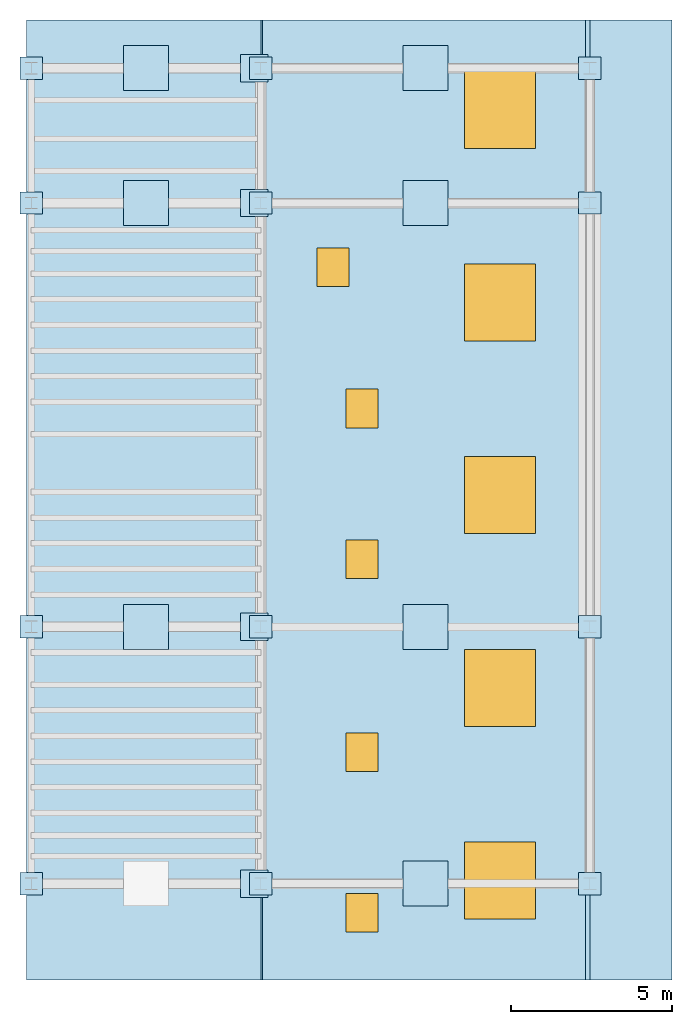
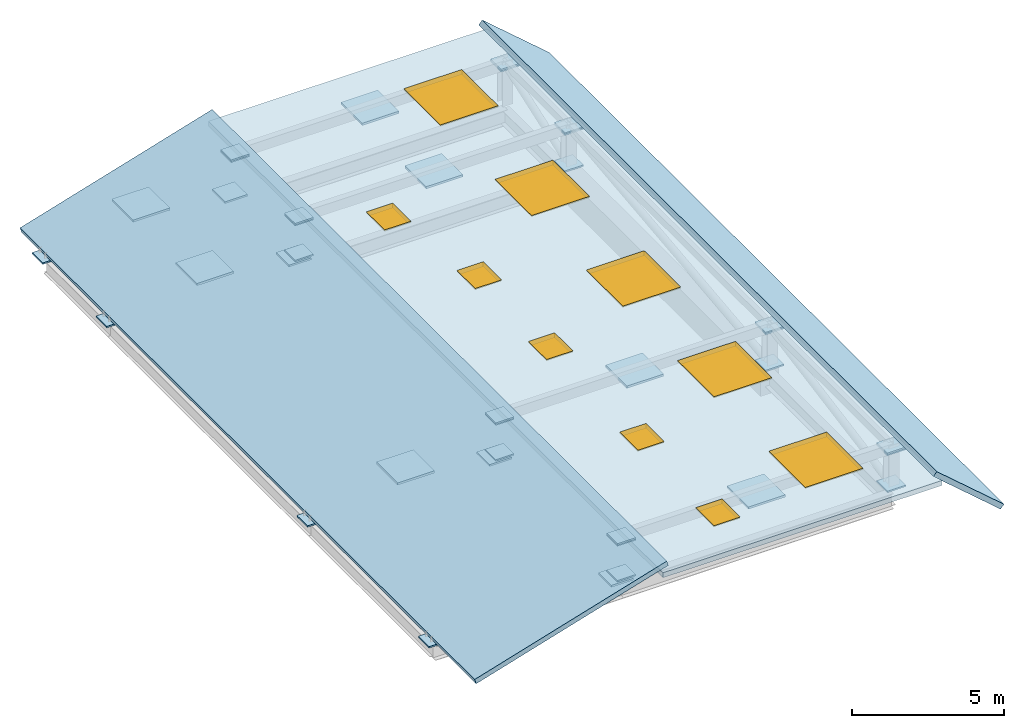
# One storey, part 2 of 2: 37 plates, 10 windows, 3 slabs, 10 openings.
"""IFC4 building model written with IfcOpenShell, lengths in metres."""

from ifc_helpers import new_model, si_unit, direction, frame, origin, origin_2d, place, context, subcontext, project, spatial, polyline, rectangle, outline, extrude, source, transform, mapped, material, layer, layer_set, type_object, element, fill, save


model = new_model("IFC4")

# Units and contexts
model_context = context("Model", 3, precision=1e-05, world=origin(), true_north=direction((0.0, 1.0)))
body_context = subcontext(model_context, "Body", "Model", "MODEL_VIEW")
ifc_project = project(units=[si_unit("LENGTHUNIT", "METRE"), si_unit("AREAUNIT", "SQUARE_METRE"), si_unit("VOLUMEUNIT", "CUBIC_METRE"), si_unit("PLANEANGLEUNIT", "RADIAN"), si_unit("MASSUNIT", "GRAM", prefix="KILO")], contexts=[model_context])

# Site, building, storey
site_placement = place(None, origin())
site = spatial("IfcSite", under=ifc_project, at=site_placement, CompositionType="ELEMENT")
building_placement = place(site_placement, origin())
building = spatial("IfcBuilding", under=site, at=building_placement, Name="Valdorenza Pilgrim Sanctuary Tower", CompositionType="ELEMENT")
storey_placement = place(building_placement, frame((0.0, 0.0, 307.60009765625)))
storey = spatial("IfcBuildingStorey", under=building, at=storey_placement, Name="RF", CompositionType="ELEMENT", Elevation=307.60009765625)

# Slabs
ifc_material_1 = material(Name="Concrete C40/50", Category="concrete")
ifc_layer_1 = layer(ifc_material_1, 0.199951171875, Name="Concrete C40/50")
ifc_layer_set_1 = layer_set([ifc_layer_1], Name="Concrete C40/50")
slab_type = type_object("IfcSlabType", Name="SLAB-CRW-170", PredefinedType="ROOF", material=ifc_layer_set_1)
slab_1_placement = place(storey_placement, frame((-29.949951171875, -13.60009765625, 0.199951171875), z_axis=(-0.288543316843, 0.0, 0.957466842405), x_axis=(0.957466842405, 0.0, 0.288543316843)))
element("IfcSlab", 1, at=slab_1_placement, inside=storey, type_object=slab_type, Name="RF West 18-Degree Sloped Laminated Glass Crown Roof", PredefinedType="ROOF", context=body_context, shape_type="SweptSolid", body=[
    extrude(outline(polyline([(0.0, 0.0), (7.624335908893533, 0.0), (7.624335908893533, 29.900146484375007), (0.0, 29.900146484375007), (0.0, 0.0)])), origin(), (0.0, 0.0, -1.0), 0.199951171875),
])
slab_2_placement = place(storey_placement, frame((-12.39990234375, -13.60009765625, 2.39990234375), z_axis=(0.653253629088, 0.0, 0.757139152391), x_axis=(0.757139152391, 0.0, -0.653253629088)))
element("IfcSlab", 2, at=slab_2_placement, inside=storey, type_object=slab_type, Name="RF East 18-Degree Sloped Laminated Glass Crown Roof", PredefinedType="ROOF", context=body_context, shape_type="SweptSolid", body=[
    extrude(outline(polyline([(0.0, 0.0), (3.3676830467000833, 0.0), (3.3676830467000833, 29.900146484375), (0.0, 29.900146484375), (0.0, 0.0)])), origin(), (0.0, 0.0, -1.0), 0.199951171875),
])

# Slab, openings, windows
slab_3_placement = place(storey_placement, frame((0.0, 0.0, 1.77978515625)))
slab_3 = element("IfcSlab", 3, at=slab_3_placement, inside=storey, type_object=slab_type, Name="RF Central Crown Ridge Skylight Cap Slab", PredefinedType="ROOF", context=body_context, shape_type="SweptSolid", body=[
    extrude(outline(polyline([(-22.800048828125, -13.60009765625), (-12.199951171875, -13.60009765625), (-12.199951171875, 16.300048828125), (-22.800048828125, 16.300048828125), (-22.800048828125, -13.60009765625)]), holes=[polyline([(-16.27490234375, -11.675048828125), (-14.125, -11.675048828125), (-14.125, -9.324951171875), (-16.27490234375, -9.324951171875), (-16.27490234375, -11.675048828125)]), polyline([(-16.27490234375, -5.675048828125), (-14.125, -5.675048828125), (-14.125, -3.324951171875), (-16.27490234375, -3.324951171875), (-16.27490234375, -5.675048828125)]), polyline([(-16.27490234375, 0.324951171875), (-14.125, 0.324951171875), (-14.125, 2.675048828125), (-16.27490234375, 2.675048828125), (-16.27490234375, 0.324951171875)]), polyline([(-16.27490234375, 6.324951171875), (-14.125, 6.324951171875), (-14.125, 8.675048828125), (-16.27490234375, 8.675048828125), (-16.27490234375, 6.324951171875)]), polyline([(-16.27490234375, 12.324951171875), (-14.125, 12.324951171875), (-14.125, 14.675048828125), (-16.27490234375, 14.675048828125), (-16.27490234375, 12.324951171875)]), polyline([(-19.97509765625, -12.074951171875), (-19.02490234375, -12.074951171875), (-19.02490234375, -10.925048828125), (-19.97509765625, -10.925048828125), (-19.97509765625, -12.074951171875)]), polyline([(-19.97509765625, -7.074951171875), (-19.02490234375, -7.074951171875), (-19.02490234375, -5.925048828125), (-19.97509765625, -5.925048828125), (-19.97509765625, -7.074951171875)]), polyline([(-19.97509765625, -1.074951171875), (-19.02490234375, -1.074951171875), (-19.02490234375, 0.074951171875), (-19.97509765625, 0.074951171875), (-19.97509765625, -1.074951171875)]), polyline([(-19.97509765625, 3.625), (-19.02490234375, 3.625), (-19.02490234375, 4.77490234375), (-19.97509765625, 4.77490234375), (-19.97509765625, 3.625)]), polyline([(-20.875, 8.02490234375), (-19.925048828125, 8.02490234375), (-19.925048828125, 9.175048828125), (-20.875, 9.175048828125), (-20.875, 8.02490234375)])]), origin(), (0.0, 0.0, 1.0), 0.2001953125),
])
opening_1_placement = place(slab_3_placement, frame((-15.199951171875, -10.5, 0.0)))
opening_1 = element("IfcOpeningElement", 4, at=opening_1_placement, cuts=slab_3, Name="Opening SK-01", PredefinedType="OPENING", context=body_context, shape_type="SweptSolid", body=[
    extrude(rectangle(XDim=2.199951171875, YDim=2.39990234375, at=origin_2d()), frame((0.0, 0.0, -0.014892578125)), (0.0, 0.0, 1.0), 0.22998046875),
])
opening_2_placement = place(slab_3_placement, frame((-15.199951171875, -4.5, 0.0)))
opening_2 = element("IfcOpeningElement", 5, at=opening_2_placement, cuts=slab_3, Name="Opening SK-01", PredefinedType="OPENING", context=body_context, shape_type="SweptSolid", body=[
    extrude(rectangle(XDim=2.199951171875, YDim=2.39990234375, at=origin_2d()), frame((0.0, 0.0, -0.014892578125)), (0.0, 0.0, 1.0), 0.22998046875),
])
opening_3_placement = place(slab_3_placement, frame((-15.199951171875, 1.5, 0.0)))
opening_3 = element("IfcOpeningElement", 6, at=opening_3_placement, cuts=slab_3, Name="Opening SK-01", PredefinedType="OPENING", context=body_context, shape_type="SweptSolid", body=[
    extrude(rectangle(XDim=2.199951171875, YDim=2.39990234375, at=origin_2d()), frame((0.0, 0.0, -0.014892578125)), (0.0, 0.0, 1.0), 0.22998046875),
])
opening_4_placement = place(slab_3_placement, frame((-15.199951171875, 7.5, 0.0)))
opening_4 = element("IfcOpeningElement", 7, at=opening_4_placement, cuts=slab_3, Name="Opening SK-01", PredefinedType="OPENING", context=body_context, shape_type="SweptSolid", body=[
    extrude(rectangle(XDim=2.199951171875, YDim=2.39990234375, at=origin_2d()), frame((0.0, 0.0, -0.014892578125)), (0.0, 0.0, 1.0), 0.22998046875),
])
opening_5_placement = place(slab_3_placement, frame((-15.199951171875, 13.5, 0.0)))
opening_5 = element("IfcOpeningElement", 8, at=opening_5_placement, cuts=slab_3, Name="Opening SK-01", PredefinedType="OPENING", context=body_context, shape_type="SweptSolid", body=[
    extrude(rectangle(XDim=2.199951171875, YDim=2.39990234375, at=origin_2d()), frame((0.0, 0.0, -0.014892578125)), (0.0, 0.0, 1.0), 0.22998046875),
])
opening_6_placement = place(slab_3_placement, frame((-19.5, -11.5, 0.0)))
opening_6 = element("IfcOpeningElement", 9, at=opening_6_placement, cuts=slab_3, Name="Opening RH-01", PredefinedType="OPENING", context=body_context, shape_type="SweptSolid", body=[
    extrude(rectangle(XDim=1.0, YDim=1.199951171875, at=origin_2d()), frame((0.0, 0.0, -0.014892578125)), (0.0, 0.0, 1.0), 0.22998046875),
])
opening_7_placement = place(slab_3_placement, frame((-19.5, -6.5, 0.0)))
opening_7 = element("IfcOpeningElement", 10, at=opening_7_placement, cuts=slab_3, Name="Opening RH-01", PredefinedType="OPENING", context=body_context, shape_type="SweptSolid", body=[
    extrude(rectangle(XDim=1.0, YDim=1.199951171875, at=origin_2d()), frame((0.0, 0.0, -0.014892578125)), (0.0, 0.0, 1.0), 0.22998046875),
])
opening_8_placement = place(slab_3_placement, frame((-19.5, -0.5, 0.0)))
opening_8 = element("IfcOpeningElement", 11, at=opening_8_placement, cuts=slab_3, Name="Opening RH-01", PredefinedType="OPENING", context=body_context, shape_type="SweptSolid", body=[
    extrude(rectangle(XDim=1.0, YDim=1.199951171875, at=origin_2d()), frame((0.0, 0.0, -0.014892578125)), (0.0, 0.0, 1.0), 0.22998046875),
])
opening_9_placement = place(slab_3_placement, frame((-19.5, 4.199951171875, 0.0)))
opening_9 = element("IfcOpeningElement", 12, at=opening_9_placement, cuts=slab_3, Name="Opening RH-01", PredefinedType="OPENING", context=body_context, shape_type="SweptSolid", body=[
    extrude(rectangle(XDim=1.0, YDim=1.199951171875, at=origin_2d()), frame((0.0, 0.0, -0.014892578125)), (0.0, 0.0, 1.0), 0.22998046875),
])
opening_10_placement = place(slab_3_placement, frame((-20.39990234375, 8.60009765625, 0.0)))
opening_10 = element("IfcOpeningElement", 13, at=opening_10_placement, cuts=slab_3, Name="Opening RH-01", PredefinedType="OPENING", context=body_context, shape_type="SweptSolid", body=[
    extrude(rectangle(XDim=1.0, YDim=1.199951171875, at=origin_2d()), frame((0.0, 0.0, -0.014892578125)), (0.0, 0.0, 1.0), 0.22998046875),
])
ifc_material_2 = material(Name="Painted galvanized steel", Category="steel")
window_type_1 = type_object("IfcWindowType", Name="WIN-ROOF-HATCH", PartitioningType="SINGLE_PANEL", PredefinedType="SKYLIGHT", material=ifc_material_2)
window_1_placement = place(opening_6_placement, frame((0.0, 0.0, 0.150146484375)))
window_1 = element("IfcWindow", 14, at=window_1_placement, inside=storey, type_object=window_type_1, Name="RF Insulated Roof Access Hatch RH-01", OverallHeight=1.199951171875, OverallWidth=1.0, PartitioningType="SINGLE_PANEL", PredefinedType="SKYLIGHT", context=body_context, shape_type="SweptSolid", body=[
    extrude(rectangle(XDim=1.0, YDim=1.199951171875, at=origin_2d()), origin(), (0.0, 0.0, 1.0), 0.050048828125),
])
fill(opening_6, window_1)
window_2_placement = place(opening_7_placement, frame((0.0, 0.0, 0.150146484375)))
window_2 = element("IfcWindow", 15, at=window_2_placement, inside=storey, type_object=window_type_1, Name="RF Insulated Roof Access Hatch RH-02", OverallHeight=1.199951171875, OverallWidth=1.0, PartitioningType="SINGLE_PANEL", PredefinedType="SKYLIGHT", context=body_context, shape_type="SweptSolid", body=[
    extrude(rectangle(XDim=1.0, YDim=1.199951171875, at=origin_2d()), origin(), (0.0, 0.0, 1.0), 0.050048828125),
])
fill(opening_7, window_2)
window_3_placement = place(opening_8_placement, frame((0.0, 0.0, 0.150146484375)))
window_3 = element("IfcWindow", 16, at=window_3_placement, inside=storey, type_object=window_type_1, Name="RF Insulated Roof Access Hatch RH-03", OverallHeight=1.199951171875, OverallWidth=1.0, PartitioningType="SINGLE_PANEL", PredefinedType="SKYLIGHT", context=body_context, shape_type="SweptSolid", body=[
    extrude(rectangle(XDim=1.0, YDim=1.199951171875, at=origin_2d()), origin(), (0.0, 0.0, 1.0), 0.050048828125),
])
fill(opening_8, window_3)
window_4_placement = place(opening_9_placement, frame((0.0, 0.0, 0.150146484375)))
window_4 = element("IfcWindow", 17, at=window_4_placement, inside=storey, type_object=window_type_1, Name="RF Insulated Roof Access Hatch RH-04", OverallHeight=1.199951171875, OverallWidth=1.0, PartitioningType="SINGLE_PANEL", PredefinedType="SKYLIGHT", context=body_context, shape_type="SweptSolid", body=[
    extrude(rectangle(XDim=1.0, YDim=1.199951171875, at=origin_2d()), origin(), (0.0, 0.0, 1.0), 0.050048828125),
])
fill(opening_9, window_4)
window_5_placement = place(opening_10_placement, frame((0.0, 0.0, 0.150146484375)))
window_5 = element("IfcWindow", 18, at=window_5_placement, inside=storey, type_object=window_type_1, Name="RF Insulated Roof Access Hatch RH-05", OverallHeight=1.199951171875, OverallWidth=1.0, PartitioningType="SINGLE_PANEL", PredefinedType="SKYLIGHT", context=body_context, shape_type="SweptSolid", body=[
    extrude(rectangle(XDim=1.0, YDim=1.199951171875, at=origin_2d()), origin(), (0.0, 0.0, 1.0), 0.050048828125),
])
fill(opening_10, window_5)
ifc_material_3 = material(Name="Laminated low-E skylight glass", Category="glass")
window_type_2 = type_object("IfcWindowType", Name="WIN-SKY-2400", PartitioningType="SINGLE_PANEL", PredefinedType="SKYLIGHT", material=ifc_material_3)
window_6_placement = place(opening_1_placement, frame((0.0, 0.0, 0.150146484375)))
window_6 = element("IfcWindow", 19, at=window_6_placement, inside=storey, type_object=window_type_2, Name="RF Crown Ridge Structural Skylight SK-01", OverallHeight=2.39990234375, OverallWidth=2.199951171875, PartitioningType="SINGLE_PANEL", PredefinedType="SKYLIGHT", context=body_context, shape_type="SweptSolid", body=[
    extrude(rectangle(XDim=2.199951171875, YDim=2.39990234375, at=origin_2d()), origin(), (0.0, 0.0, 1.0), 0.050048828125),
])
fill(opening_1, window_6)
window_7_placement = place(opening_2_placement, frame((0.0, 0.0, 0.150146484375)))
window_7 = element("IfcWindow", 20, at=window_7_placement, inside=storey, type_object=window_type_2, Name="RF Crown Ridge Structural Skylight SK-02", OverallHeight=2.39990234375, OverallWidth=2.199951171875, PartitioningType="SINGLE_PANEL", PredefinedType="SKYLIGHT", context=body_context, shape_type="SweptSolid", body=[
    extrude(rectangle(XDim=2.199951171875, YDim=2.39990234375, at=origin_2d()), origin(), (0.0, 0.0, 1.0), 0.050048828125),
])
fill(opening_2, window_7)
window_8_placement = place(opening_3_placement, frame((0.0, 0.0, 0.150146484375)))
window_8 = element("IfcWindow", 21, at=window_8_placement, inside=storey, type_object=window_type_2, Name="RF Crown Ridge Structural Skylight SK-03", OverallHeight=2.39990234375, OverallWidth=2.199951171875, PartitioningType="SINGLE_PANEL", PredefinedType="SKYLIGHT", context=body_context, shape_type="SweptSolid", body=[
    extrude(rectangle(XDim=2.199951171875, YDim=2.39990234375, at=origin_2d()), origin(), (0.0, 0.0, 1.0), 0.050048828125),
])
fill(opening_3, window_8)
window_9_placement = place(opening_4_placement, frame((0.0, 0.0, 0.150146484375)))
window_9 = element("IfcWindow", 22, at=window_9_placement, inside=storey, type_object=window_type_2, Name="RF Crown Ridge Structural Skylight SK-04", OverallHeight=2.39990234375, OverallWidth=2.199951171875, PartitioningType="SINGLE_PANEL", PredefinedType="SKYLIGHT", context=body_context, shape_type="SweptSolid", body=[
    extrude(rectangle(XDim=2.199951171875, YDim=2.39990234375, at=origin_2d()), origin(), (0.0, 0.0, 1.0), 0.050048828125),
])
fill(opening_4, window_9)
window_10_placement = place(opening_5_placement, frame((0.0, 0.0, 0.150146484375)))
window_10 = element("IfcWindow", 23, at=window_10_placement, inside=storey, type_object=window_type_2, Name="RF Crown Ridge Structural Skylight SK-05", OverallHeight=2.39990234375, OverallWidth=2.199951171875, PartitioningType="SINGLE_PANEL", PredefinedType="SKYLIGHT", context=body_context, shape_type="SweptSolid", body=[
    extrude(rectangle(XDim=2.199951171875, YDim=2.39990234375, at=origin_2d()), origin(), (0.0, 0.0, 1.0), 0.050048828125),
])
fill(opening_5, window_10)

# Plates
ifc_material_4 = material(Name="Steel ASTM A572 Grade 42", Category="steel")
ifc_layer_2 = layer(ifc_material_4, 0.090087890625, Name="Steel ASTM A572 Grade 42")
ifc_layer_set_2 = layer_set([ifc_layer_2], Name="Steel ASTM A572 Grade 42")
plate_type_1 = type_object("IfcPlateType", Name="PLT-GUS-90", PredefinedType="USERDEFINED", material=ifc_layer_set_2)
shared_shape_1 = source(origin(), body_context, "Body", "SweptSolid", [
    extrude(rectangle(XDim=1.39990234375, YDim=1.39990234375, at=origin_2d()), origin(), (0.0, 0.0, 1.0), 0.090087890625),
])
for number, where, z_axis, x_axis, name in (
    (24, (-17.52490234375, -10.60009765625, 1.53466796875), (0.0, 0.0, 1.0), (1.0, 0.0, 0.0), "Truss Node Gusset Assembly CN-01 (MB-RF-RAF-E1)"),
    (25, (-26.22509765625, -2.60009765625, 0.69482421875), (0.0, 0.0, 1.0), (1.0, 0.0, 0.0), "Truss Node Gusset Assembly CN-01 (MB-RF-RAF-W2)"),
    (26, (-17.52490234375, -2.60009765625, 1.53466796875), (0.0, 0.0, 1.0), (1.0, 0.0, 0.0), "Truss Node Gusset Assembly CN-01 (MB-RF-RAF-E2)"),
    (27, (-26.22509765625, 10.60009765625, 0.69482421875), (0.0, 0.0, 1.0), (1.0, 0.0, 0.0), "Truss Node Gusset Assembly CN-01 (MB-RF-RAF-W3)"),
    (28, (-17.52490234375, 10.60009765625, 1.53466796875), (0.0, 0.0, 1.0), (1.0, 0.0, 0.0), "Truss Node Gusset Assembly CN-01 (MB-RF-RAF-E3)"),
    (29, (-26.22509765625, 14.800048828125, 0.69482421875), (0.0, 0.0, 1.0), (1.0, 0.0, 0.0), "Truss Node Gusset Assembly CN-01 (MB-RF-RAF-W4)"),
    (30, (-17.52490234375, 14.800048828125, 1.53466796875), (0.0, 0.0, 1.0), (1.0, 0.0, 0.0), "Truss Node Gusset Assembly CN-01 (MB-RF-RAF-E4)"),
):
    element("IfcPlate", number, at=place(storey_placement, frame(where, z_axis=z_axis, x_axis=x_axis)), inside=storey, type_object=plate_type_1, Name=name, ObjectType="GUSSET PLATE", PredefinedType="USERDEFINED", context=body_context, shape_type="MappedRepresentation", body=[
        mapped(shared_shape_1, transform((0.0, 0.0, 0.0), x_axis=(1.0, 0.0, 0.0), y_axis=(0.0, 1.0, 0.0), z_axis=(0.0, 0.0, 1.0), scale=1.0)),
    ])
ifc_layer_3 = layer(ifc_material_4, 0.06005859375, Name="Steel ASTM A572 Grade 42")
ifc_layer_set_3 = layer_set([ifc_layer_3], Name="Steel ASTM A572 Grade 42")
plate_type_2 = type_object("IfcPlateType", Name="PLT-CAP-60", PredefinedType="SHEET", material=ifc_layer_set_3)
shared_shape_2 = source(origin(), body_context, "Body", "SweptSolid", [
    extrude(rectangle(XDim=0.699951171875, YDim=0.699951171875, at=origin_2d()), origin(), (0.0, 0.0, 1.0), 0.06005859375),
])
for number, where, z_axis, x_axis, name in (
    (31, (-29.800048828125, -10.60009765625, -0.080078125), (0.0, 0.0, 1.0), (1.0, 0.0, 0.0), "RF West Crown Sloped Rafter W1 End Connection Plate 1"),
    (32, (-22.64990234375, -10.60009765625, 1.499755859375), (0.0, 0.0, 1.0), (1.0, 0.0, 0.0), "RF West Crown Sloped Rafter W1 End Connection Plate 2"),
    (33, (-22.64990234375, -10.60009765625, 1.5498046875), (0.0, 0.0, 1.0), (1.0, 0.0, 0.0), "RF Central Crown Ridge Rafter E1 End Connection Plate 1"),
    (34, (-12.39990234375, -10.60009765625, 1.5498046875), (0.0, 0.0, 1.0), (1.0, 0.0, 0.0), "RF Central Crown Ridge Rafter E1 End Connection Plate 2"),
    (35, (-29.800048828125, -2.60009765625, -0.080078125), (0.0, 0.0, 1.0), (1.0, 0.0, 0.0), "RF West Crown Sloped Rafter W2 End Connection Plate 1"),
    (36, (-22.64990234375, -2.60009765625, 1.499755859375), (0.0, 0.0, 1.0), (1.0, 0.0, 0.0), "RF West Crown Sloped Rafter W2 End Connection Plate 2"),
    (37, (-22.64990234375, -2.60009765625, 1.5498046875), (0.0, 0.0, 1.0), (1.0, 0.0, 0.0), "RF Central Crown Ridge Rafter E2 End Connection Plate 1"),
    (38, (-12.39990234375, -2.60009765625, 1.5498046875), (0.0, 0.0, 1.0), (1.0, 0.0, 0.0), "RF Central Crown Ridge Rafter E2 End Connection Plate 2"),
    (39, (-29.800048828125, 10.60009765625, -0.080078125), (0.0, 0.0, 1.0), (1.0, 0.0, 0.0), "RF West Crown Sloped Rafter W3 End Connection Plate 1"),
    (40, (-22.64990234375, 10.60009765625, 1.499755859375), (0.0, 0.0, 1.0), (1.0, 0.0, 0.0), "RF West Crown Sloped Rafter W3 End Connection Plate 2"),
    (41, (-22.64990234375, 10.60009765625, 1.5498046875), (0.0, 0.0, 1.0), (1.0, 0.0, 0.0), "RF Central Crown Ridge Rafter E3 End Connection Plate 1"),
    (42, (-12.39990234375, 10.60009765625, 1.5498046875), (0.0, 0.0, 1.0), (1.0, 0.0, 0.0), "RF Central Crown Ridge Rafter E3 End Connection Plate 2"),
    (43, (-29.800048828125, 14.800048828125, -0.080078125), (0.0, 0.0, 1.0), (1.0, 0.0, 0.0), "RF West Crown Sloped Rafter W4 End Connection Plate 1"),
    (44, (-22.64990234375, 14.800048828125, 1.499755859375), (0.0, 0.0, 1.0), (1.0, 0.0, 0.0), "RF West Crown Sloped Rafter W4 End Connection Plate 2"),
    (45, (-22.64990234375, 14.800048828125, 1.5498046875), (0.0, 0.0, 1.0), (1.0, 0.0, 0.0), "RF Central Crown Ridge Rafter E4 End Connection Plate 1"),
    (46, (-12.39990234375, 14.800048828125, 1.5498046875), (0.0, 0.0, 1.0), (1.0, 0.0, 0.0), "RF Central Crown Ridge Rafter E4 End Connection Plate 2"),
    (47, (-12.39990234375, -10.60009765625, 1.599853515625), (0.0, 0.0, 1.0), (1.0, 0.0, 0.0), "RF Crown East Ridge Purlin 1 End Connection Plate 1"),
    (48, (-12.39990234375, -2.60009765625, 1.599853515625), (0.0, 0.0, 1.0), (1.0, 0.0, 0.0), "RF Crown East Ridge Purlin 1 End Connection Plate 2"),
    (49, (-22.64990234375, -10.60009765625, 0.06982421875), (0.0, 0.0, 1.0), (1.0, 0.0, 0.0), "RF Crown Wind Brace A1 End Connection Plate 1"),
    (50, (-12.39990234375, -10.60009765625, 0.06982421875), (0.0, 0.0, 1.0), (1.0, 0.0, 0.0), "RF Crown Wind Brace B1 End Connection Plate 1"),
    (51, (-12.39990234375, 10.60009765625, 1.599853515625), (0.0, 0.0, 1.0), (1.0, 0.0, 0.0), "RF Crown East Ridge Purlin 2 End Connection Plate 2"),
    (52, (-22.64990234375, -2.60009765625, 0.06982421875), (0.0, 0.0, 1.0), (1.0, 0.0, 0.0), "RF Crown Wind Brace A2 End Connection Plate 1"),
    (53, (-12.39990234375, -2.60009765625, 0.06982421875), (0.0, 0.0, 1.0), (1.0, 0.0, 0.0), "RF Crown Wind Brace B2 End Connection Plate 1"),
    (54, (-12.39990234375, 14.800048828125, 1.599853515625), (0.0, 0.0, 1.0), (1.0, 0.0, 0.0), "RF Crown East Ridge Purlin 3 End Connection Plate 2"),
    (55, (-22.64990234375, 10.60009765625, 0.06982421875), (0.0, 0.0, 1.0), (1.0, 0.0, 0.0), "RF Crown Wind Brace A3 End Connection Plate 1"),
    (56, (-12.39990234375, 10.60009765625, 0.06982421875), (0.0, 0.0, 1.0), (1.0, 0.0, 0.0), "RF Crown Wind Brace B3 End Connection Plate 1"),
):
    element("IfcPlate", number, at=place(storey_placement, frame(where, z_axis=z_axis, x_axis=x_axis)), inside=storey, type_object=plate_type_2, Name=name, PredefinedType="SHEET", context=body_context, shape_type="MappedRepresentation", body=[
        mapped(shared_shape_2, transform((0.0, 0.0, 0.0), x_axis=(1.0, 0.0, 0.0), y_axis=(0.0, 1.0, 0.0), z_axis=(0.0, 0.0, 1.0), scale=1.0)),
    ])
ifc_layer_4 = layer(ifc_material_4, 0.074951171875, Name="Steel ASTM A572 Grade 42")
ifc_layer_set_4 = layer_set([ifc_layer_4], Name="Steel ASTM A572 Grade 42")
plate_type_3 = type_object("IfcPlateType", Name="PLT-BASE-75", PredefinedType="SHEET", material=ifc_layer_set_4)
shared_shape_3 = source(origin(), body_context, "Body", "SweptSolid", [
    extrude(rectangle(XDim=0.85009765625, YDim=0.85009765625, at=origin_2d()), origin(), (0.0, 0.0, 1.0), 0.074951171875),
])
for number, where, z_axis, x_axis, name in (
    (57, (-22.85009765625, -10.60009765625, 0.0), (0.0, 0.0, 1.0), (1.0, 0.0, 0.0), "1 RF Crown Frame Base Plate BP-01"),
    (58, (-22.85009765625, -2.60009765625, 0.0), (0.0, 0.0, 1.0), (1.0, 0.0, 0.0), "2 RF Crown Frame Base Plate BP-01"),
    (59, (-22.85009765625, 10.60009765625, 0.0), (0.0, 0.0, 1.0), (1.0, 0.0, 0.0), "3 RF Crown Frame Base Plate BP-01"),
    (60, (-22.85009765625, 14.800048828125, 0.0), (0.0, 0.0, 1.0), (1.0, 0.0, 0.0), "4 RF Crown Frame Base Plate BP-01"),
):
    element("IfcPlate", number, at=place(storey_placement, frame(where, z_axis=z_axis, x_axis=x_axis)), inside=storey, type_object=plate_type_3, Name=name, PredefinedType="SHEET", context=body_context, shape_type="MappedRepresentation", body=[
        mapped(shared_shape_3, transform((0.0, 0.0, 0.0), x_axis=(1.0, 0.0, 0.0), y_axis=(0.0, 1.0, 0.0), z_axis=(0.0, 0.0, 1.0), scale=1.0)),
    ])

save(model, "model.ifc")
